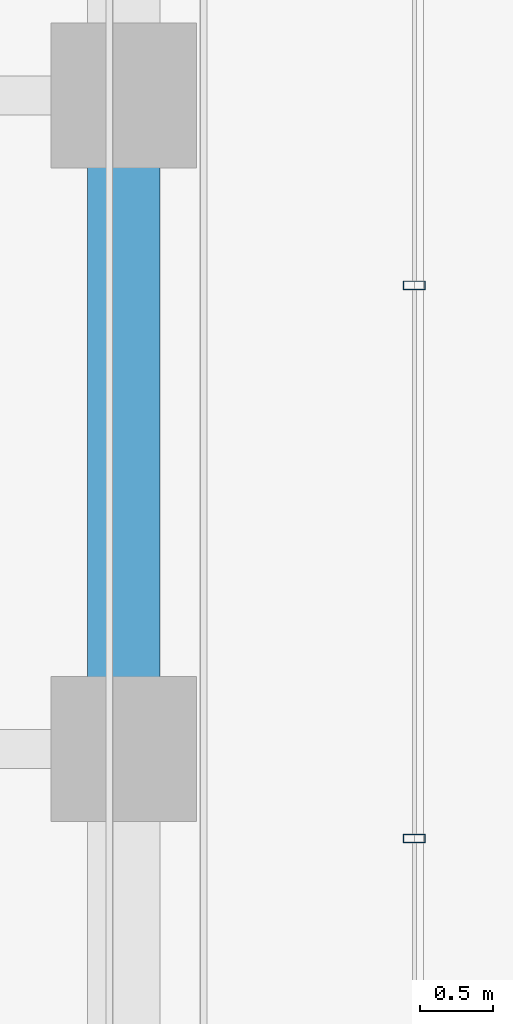
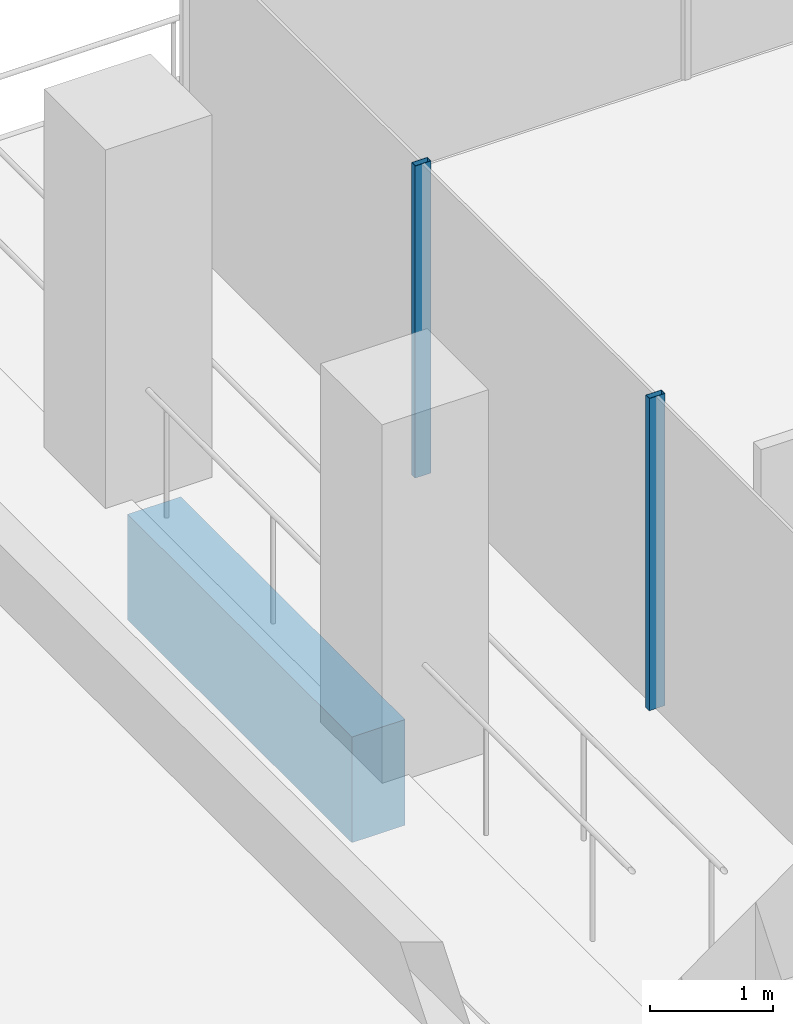
# One storey, part 21 of 52: 2 members, 1 beam, 1 element without a shape of its own.
"""IFC4 building model written with IfcOpenShell, lengths in metres."""

import ifcopenshell
import ifcopenshell.guid

model = None  # the IFC model being written
_history = None  # IfcOwnerHistory: only IFC2X3 demands one
_inside = {}  # id of a spatial element -> (the spatial element, [elements in it])
_under = {}  # id of a project, library or spatial element -> (it, [spatial elements below it])
_declared = {}  # id of a project -> (the project, [libraries it declares])
_typed = {}  # id of a type object -> (the type object, [elements of that type])
_made_of = {}  # id of a material, layer set ... -> (it, [elements and type objects made of it])


def new_model(schema):
    """Start an empty IFC model of exactly this schema.

    Asked for "IFC4X3", IfcOpenShell would pick the latest addendum, in which some entities
    have other attributes; the version numbers below select the first issue.
    IFC2X3 requires an IfcOwnerHistory on every rooted entity: one is made here for all.
    """
    global model, _history
    if schema == "IFC4X3":
        model = ifcopenshell.file(schema_version=(4, 3, 0, 0))
    else:
        model = ifcopenshell.file(schema=schema)
    _inside.clear()
    _under.clear()
    _declared.clear()
    _typed.clear()
    _made_of.clear()
    _history = None
    if model.schema == "IFC2X3":
        org = make("IfcOrganization", Name="unknown")
        user = make(
            "IfcPersonAndOrganization",
            ThePerson=make("IfcPerson", FamilyName="unknown"),
            TheOrganization=org,
        )
        app = make(
            "IfcApplication",
            ApplicationDeveloper=org,
            Version="unknown",
            ApplicationFullName="unknown",
            ApplicationIdentifier="unknown",
        )
        _history = make(
            "IfcOwnerHistory",
            OwningUser=user,
            OwningApplication=app,
            ChangeAction="ADDED",
            CreationDate=0,
        )
    return model


def make(cls, **values):
    """One entity of the class cls with the attributes given. An attribute that is None is left unset."""
    return model.create_entity(
        cls, **{name: value for name, value in values.items() if value is not None}
    )


def rooted(cls, **values):
    """An entity with a GlobalId (a new one), such as an element, a storey or a relation."""
    return make(cls, GlobalId=ifcopenshell.guid.new(), OwnerHistory=_history, **values)


def si_unit(unit_type, name, prefix=None):
    """IfcSIUnit, for example si_unit("LENGTHUNIT", "METRE", prefix="MILLI")."""
    return make("IfcSIUnit", UnitType=unit_type, Prefix=prefix, Name=name)


def assignment(units):
    """IfcUnitAssignment: the units of a project."""
    return None if units is None else make("IfcUnitAssignment", Units=units)


def point(xyz):
    """IfcCartesianPoint."""
    return None if xyz is None else make("IfcCartesianPoint", Coordinates=xyz)


def direction(xyz):
    """IfcDirection."""
    return None if xyz is None else make("IfcDirection", DirectionRatios=xyz)


def frame(location, z_axis=None, x_axis=None):
    """IfcAxis2Placement3D, a coordinate frame: its origin and axes. An axis left out is left unset."""
    return make(
        "IfcAxis2Placement3D",
        Location=point(location),
        Axis=direction(z_axis),
        RefDirection=direction(x_axis),
    )


def frame_2d(location, x_axis=None):
    """IfcAxis2Placement2D, a coordinate frame in the plane: its origin and x axis."""
    return make(
        "IfcAxis2Placement2D", Location=point(location), RefDirection=direction(x_axis)
    )


def origin():
    """The frame at (0, 0, 0) with its axes left unset."""
    return frame((0.0, 0.0, 0.0))


def origin_2d():
    """The frame at (0, 0) in the plane with its x axis left unset."""
    return frame_2d((0.0, 0.0))


def place(relative_to, where):
    """IfcLocalPlacement: puts the frame where relative to a parent placement (None: the world)."""
    return make(
        "IfcLocalPlacement", PlacementRelTo=relative_to, RelativePlacement=where
    )


def context(
    kind, dimensions, precision=None, world=None, true_north=None, identifier=None
):
    """IfcGeometricRepresentationContext, for example the 3D "Model" context."""
    return make(
        "IfcGeometricRepresentationContext",
        ContextIdentifier=identifier,
        ContextType=kind,
        CoordinateSpaceDimension=dimensions,
        Precision=precision,
        WorldCoordinateSystem=world,
        TrueNorth=true_north,
    )


def subcontext(parent, identifier, kind, view, scale=None):
    """IfcGeometricRepresentationSubContext, for example "Body" below "Model"."""
    return make(
        "IfcGeometricRepresentationSubContext",
        ContextIdentifier=identifier,
        ContextType=kind,
        ParentContext=parent,
        TargetScale=scale,
        TargetView=view,
    )


def project(units=None, contexts=None):
    """IfcProject with its units and contexts."""
    return rooted(
        "IfcProject",
        Name="project",
        RepresentationContexts=contexts,
        UnitsInContext=assignment(units),
    )


def spatial(cls, under=None, at=None, **own):
    """A site, building, storey or space (cls), placed at a placement, below another one or the project."""
    s = rooted(cls, ObjectPlacement=at, **own)
    if under is not None:
        _under.setdefault(under.id(), (under, []))[1].append(s)
    return s


def profile(cls, at=None, kind="AREA", **sizes):
    """A parametric profile (cls). Its sizes go by their IFC names, for example OverallWidth=200.0."""
    return make(cls, ProfileType=kind, Position=at, **sizes)


def rectangle(**sizes):
    """IfcRectangleProfileDef."""
    return profile("IfcRectangleProfileDef", **sizes)


def hollow_rectangle(**sizes):
    """IfcRectangleHollowProfileDef."""
    return profile("IfcRectangleHollowProfileDef", **sizes)


def extrude(swept, where, along, depth):
    """IfcExtrudedAreaSolid: the profile swept, set in the frame where, extruded along a direction by depth."""
    return make(
        "IfcExtrudedAreaSolid",
        SweptArea=swept,
        Position=where,
        ExtrudedDirection=direction(along),
        Depth=depth,
    )


def shape(context_of_items, identifier, shape_type, items):
    """IfcShapeRepresentation: the items that make up one representation, for example the "Body"."""
    return make(
        "IfcShapeRepresentation",
        ContextOfItems=context_of_items,
        RepresentationIdentifier=identifier,
        RepresentationType=shape_type,
        Items=items,
    )


def material(Name=None, Category=None):
    """IfcMaterial."""
    return make("IfcMaterial", Name=Name, Category=Category)


def material_profile(
    of_material, cross_section, Name=None, Category=None, Priority=None
):
    """IfcMaterialProfile: a cross section and its material."""
    return make(
        "IfcMaterialProfile",
        Name=Name,
        Material=of_material,
        Profile=cross_section,
        Priority=Priority,
        Category=Category,
    )


def profile_set(profiles, Name=None, composite=None):
    """IfcMaterialProfileSet."""
    return make(
        "IfcMaterialProfileSet",
        Name=Name,
        MaterialProfiles=profiles,
        CompositeProfile=composite,
    )


def made_of(thing, what):
    """Note that an element or type object is made of a material, layer set ...; save() writes the relation."""
    if what is not None:
        _made_of.setdefault(what.id(), (what, []))[1].append(thing)
    return thing


def type_object(cls, material=None, **own):
    """A type object (cls), such as IfcWallType, which elements share."""
    return made_of(rooted(cls, **own), material)


def element(
    cls,
    number,
    at=None,
    inside=None,
    cuts=None,
    type_object=None,
    material=None,
    context=None,
    identifier="Body",
    shape_type=None,
    held_by="IfcProductDefinitionShape",
    body=None,
    shapes=None,
    **own,
):
    """One element of the class cls, such as IfcWall. Its Tag is "e" and its number.

    at: its placement. inside: the storey or other place that contains it. cuts: it is an
    opening in that element (IfcRelVoidsElement). A single representation is given by context,
    identifier, shape_type and body (its items); several are given by shapes. held_by: the class
    of the entity that holds the representations. save() writes the other relations.
    """
    e = rooted(cls, Tag="e%d" % number, ObjectPlacement=at, **own)
    if body is not None:
        shapes = [shape(context, identifier, shape_type, body)]
    if shapes is not None:
        e.Representation = make(held_by, Representations=shapes)
    if inside is not None:
        _inside.setdefault(inside.id(), (inside, []))[1].append(e)
    if cuts is not None:
        rooted(
            "IfcRelVoidsElement", RelatingBuildingElement=cuts, RelatedOpeningElement=e
        )
    if type_object is not None:
        _typed.setdefault(type_object.id(), (type_object, []))[1].append(e)
    return made_of(e, material)


def aggregate(whole, parts):
    """IfcRelAggregates: a whole, such as a stair, and the parts it consists of."""
    return rooted("IfcRelAggregates", RelatingObject=whole, RelatedObjects=parts)


def save(model, path):
    """Write the relations noted so far, then the file.

    IfcRelAggregates (storeys below a building ...), IfcRelContainedInSpatialStructure (elements
    in a storey), IfcRelDefinesByType, IfcRelAssociatesMaterial and IfcRelDeclares: one each for
    every whole, place, type object, material and project.
    """
    for whole, parts in _under.values():
        aggregate(whole, parts)
    for where, things in _inside.values():
        rooted(
            "IfcRelContainedInSpatialStructure",
            RelatedElements=things,
            RelatingStructure=where,
        )
    for kind, things in _typed.values():
        rooted("IfcRelDefinesByType", RelatedObjects=things, RelatingType=kind)
    for what, things in _made_of.values():
        rooted("IfcRelAssociatesMaterial", RelatedObjects=things, RelatingMaterial=what)
    for by, libraries in _declared.values():
        rooted("IfcRelDeclares", RelatingContext=by, RelatedDefinitions=libraries)
    model.write(path)


model = new_model("IFC4")

# Units and contexts
model_context = context("Model", 3, precision=1e-05, world=origin(), true_north=direction((0.0, 1.0)))
body_context = subcontext(model_context, "Body", "Model", "MODEL_VIEW")
ifc_project = project(units=[si_unit("LENGTHUNIT", "METRE"), si_unit("AREAUNIT", "SQUARE_METRE"), si_unit("VOLUMEUNIT", "CUBIC_METRE"), si_unit("PLANEANGLEUNIT", "RADIAN"), si_unit("MASSUNIT", "GRAM", prefix="KILO")], contexts=[model_context])

# Site, building, storey
site_placement = place(None, origin())
site = spatial("IfcSite", under=ifc_project, at=site_placement, CompositionType="ELEMENT")
building_placement = place(site_placement, origin())
building = spatial("IfcBuilding", under=site, at=building_placement, Name="Altepetl Exchange Towers", CompositionType="ELEMENT")
storey_placement = place(building_placement, frame((0.0, 0.0, 92.0)))
storey = spatial("IfcBuildingStorey", under=building, at=storey_placement, Name="L22", CompositionType="ELEMENT", Elevation=92.0)

# Curtain wall, members
ifc_material_1 = material(Name="Aluminium 6063-T6 glazing", Category="aluminium")
curtain_wall_type = type_object("IfcCurtainWallType", Name="Loggia glazing system", PredefinedType="NOTDEFINED", material=ifc_material_1)
curtain_wall_placement = place(storey_placement, origin())
curtain_wall = element("IfcCurtainWall", 1, at=curtain_wall_placement, inside=storey, type_object=curtain_wall_type, Name="CW1 run", PredefinedType="NOTDEFINED")
ifc_material_2 = material(Name="Aluminium 6063-T6", Category="aluminium")
ifc_material_profile_1 = material_profile(ifc_material_2, hollow_rectangle(XDim=0.06005859375, YDim=0.14990234375, WallThickness=0.0029296875, at=origin_2d()), Name="Mullion 60x150 aluminium")
ifc_profile_set_1 = profile_set([ifc_material_profile_1], Name="Aluminium 6063-T6")
member_type = type_object("IfcMemberType", Name="Mullion 60x150 aluminium", PredefinedType="MULLION", material=ifc_profile_set_1)
member_1_placement = place(storey_placement, frame((42.5, 66.191650390625, 0.0), z_axis=(0.0, 0.0, 1.0), x_axis=(0.0, -1.0, 0.0)))
member_1 = element("IfcMember", 2, at=member_1_placement, type_object=member_type, Name="MU1 mullion", PredefinedType="MULLION", context=body_context, shape_type="SweptSolid", body=[
    extrude(hollow_rectangle(XDim=0.06005859375, YDim=0.14990234375, WallThickness=0.0029296875, at=origin_2d()), origin(), (0.0, 0.0, 1.0), 3.10009765625),
])
member_2_placement = place(storey_placement, frame((42.5, 62.38330078125, 0.0), z_axis=(0.0, 0.0, 1.0), x_axis=(0.0, -1.0, 0.0)))
member_2 = element("IfcMember", 3, at=member_2_placement, type_object=member_type, Name="MU1 mullion", PredefinedType="MULLION", context=body_context, shape_type="SweptSolid", body=[
    extrude(hollow_rectangle(XDim=0.06005859375, YDim=0.14990234375, WallThickness=0.0029296875, at=origin_2d()), origin(), (0.0, 0.0, 1.0), 3.10009765625),
])
aggregate(curtain_wall, [member_1, member_2])

# Beam
ifc_material_3 = material(Name="Concrete C50/60 precast with tezontle facing", Category="concrete")
ifc_material_profile_2 = material_profile(ifc_material_3, rectangle(XDim=0.5, YDim=1.050048828125, at=origin_2d()), Name="500 x 1050")
ifc_profile_set_2 = profile_set([ifc_material_profile_2], Name="Concrete C50/60 precast with tezontle facing")
beam_type = type_object("IfcBeamType", Name="Spandrel beam 500x1050 tezontle", PredefinedType="SPANDREL", material=ifc_profile_set_2)
beam_placement = place(storey_placement, frame((40.5, 67.074951171875, -0.675048828125), z_axis=(0.0, -1.0, 0.0), x_axis=(1.0, 0.0, 0.0)))
element("IfcBeam", 4, at=beam_placement, inside=storey, type_object=beam_type, Name="sp:A:L22:031", PredefinedType="SPANDREL", context=body_context, shape_type="SweptSolid", body=[
    extrude(rectangle(XDim=0.5, YDim=1.050048828125, at=origin_2d()), origin(), (0.0, 0.0, 1.0), 3.64990234375),
])

save(model, "model.ifc")
